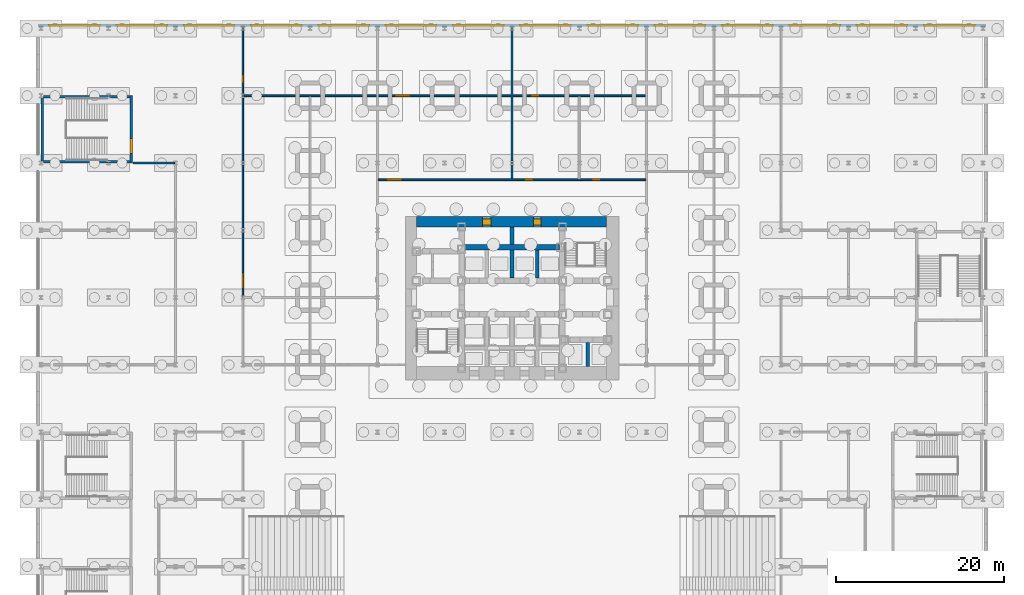
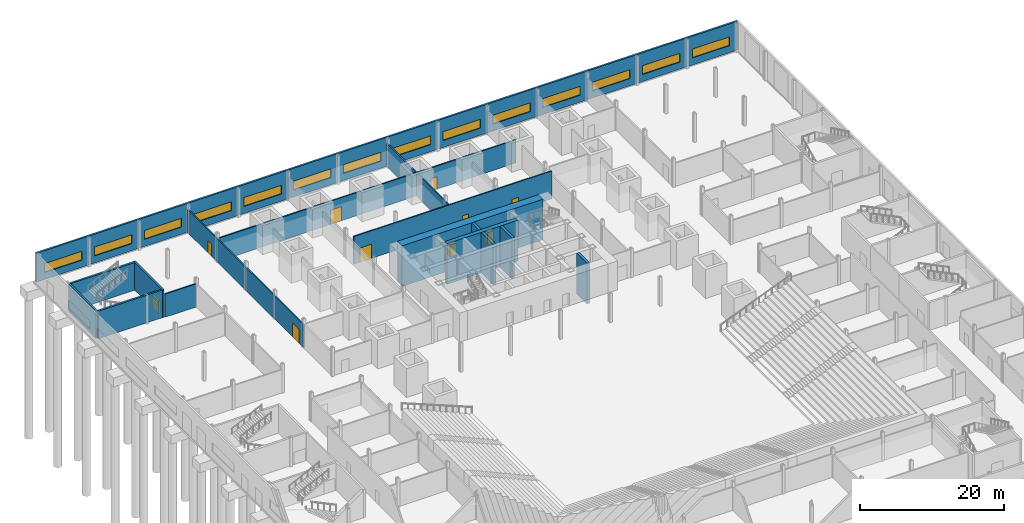
# One storey, part 17 of 24: 16 walls, 14 windows, 10 doors, 24 openings.
"""IFC4 building model written with IfcOpenShell, lengths in metres."""

from ifc_helpers import new_model, si_unit, direction, frame, frame_2d, origin, place, context, subcontext, project, spatial, rectangle, extrude, material, layer, layer_set, type_object, element, fill, save


model = new_model("IFC4")

# Units and contexts
model_context = context("Model", 3, precision=1e-05, world=origin(), true_north=direction((0.0, 1.0)))
body_context = subcontext(model_context, "Body", "Model", "MODEL_VIEW")
ifc_project = project(units=[si_unit("LENGTHUNIT", "METRE"), si_unit("AREAUNIT", "SQUARE_METRE"), si_unit("VOLUMEUNIT", "CUBIC_METRE"), si_unit("PLANEANGLEUNIT", "RADIAN"), si_unit("MASSUNIT", "GRAM", prefix="KILO")], contexts=[model_context])

# Site, building, storey
site_placement = place(None, origin())
site = spatial("IfcSite", under=ifc_project, at=site_placement, CompositionType="ELEMENT")
building_placement = place(site_placement, origin())
building = spatial("IfcBuilding", under=site, at=building_placement, Name="Daluyong Arena Tower", CompositionType="ELEMENT")
storey_placement = place(building_placement, origin())
storey = spatial("IfcBuildingStorey", under=building, at=storey_placement, Name="L00", CompositionType="ELEMENT", Elevation=0.0)

# Wall
ifc_material_1 = material(Name="Concrete fc' 60 MPa", Category="concrete")
ifc_layer_1 = layer(ifc_material_1, 0.64990234375)
ifc_layer_set_1 = layer_set([ifc_layer_1], Name="Concrete fc' 60 MPa")
wall_type_1 = type_object("IfcWallType", Name="Core inner wall 650", PredefinedType="SHEAR", material=ifc_layer_set_1)
wall_1_placement = place(storey_placement, frame((50.324951171875, 86.0, -2.0), z_axis=(0.0, 0.0, 1.0), x_axis=(1.0, 0.0, 0.0)))
element("IfcWall", 1, at=wall_1_placement, inside=storey, type_object=wall_type_1, Name="core inner wall at L00", PredefinedType="SHEAR", context=body_context, shape_type="SweptSolid", body=[
    extrude(rectangle(XDim=11.35009765625, YDim=0.64990234375, at=frame_2d((5.675048828125, 0.0))), origin(), (0.0, 0.0, 1.0), 6.89990234375),
])

# Wall, openings, doors
ifc_material_2 = material(Name="Concrete fc' 60 MPa", Category="concrete")
ifc_layer_2 = layer(ifc_material_2, 1.280029296875)
ifc_layer_set_2 = layer_set([ifc_layer_2], Name="Concrete fc' 60 MPa")
wall_type_2 = type_object("IfcWallType", Name="Core wall 1280", PredefinedType="SHEAR", material=ifc_layer_set_2)
wall_2_placement = place(storey_placement, frame((44.639892578125, 89.0, -2.0), z_axis=(0.0, 0.0, 1.0), x_axis=(1.0, 0.0, 0.0)))
wall_2 = element("IfcWall", 2, at=wall_2_placement, inside=storey, type_object=wall_type_2, Name="core wall at L00", PredefinedType="SHEAR", context=body_context, shape_type="SweptSolid", body=[
    extrude(rectangle(XDim=22.610107421875, YDim=1.280029296875, at=frame_2d((11.30517578125, 0.0))), origin(), (0.0, 0.0, 1.0), 6.89990234375),
])
opening_1_placement = place(wall_2_placement, frame((7.860107421875, 0.0, 2.0)))
opening_1 = element("IfcOpeningElement", 3, at=opening_1_placement, cuts=wall_2, Name="Opening 00004", PredefinedType="OPENING", context=body_context, shape_type="SweptSolid", body=[
    extrude(rectangle(XDim=1.0, YDim=2.10009765625, at=frame_2d((0.5, 1.050048828125))), frame((0.0, 0.64990234375, 0.0), z_axis=(0.0, -1.0, 0.0), x_axis=(1.0, 0.0, 0.0)), (0.0, 0.0, 1.0), 1.300048828125),
])
opening_2_placement = place(wall_2_placement, frame((13.909912109375, 0.0, 2.0)))
opening_2 = element("IfcOpeningElement", 4, at=opening_2_placement, cuts=wall_2, Name="Opening 00005", PredefinedType="OPENING", context=body_context, shape_type="SweptSolid", body=[
    extrude(rectangle(XDim=0.89990234375, YDim=2.10009765625, at=frame_2d((0.449951171875, 1.050048828125))), frame((0.0, 0.64990234375, 0.0), z_axis=(0.0, -1.0, 0.0), x_axis=(1.0, 0.0, 0.0)), (0.0, 0.0, 1.0), 1.300048828125),
])
ifc_material_3 = material(Name="Timber door", Category="wood")
door_type_1 = type_object("IfcDoorType", Name="Accessible toilet door 1000", OperationType="SINGLE_SWING_LEFT", PredefinedType="DOOR", material=ifc_material_3)
door_1_placement = place(opening_1_placement, origin())
door_1 = element("IfcDoor", 5, at=door_1_placement, inside=storey, type_object=door_type_1, Name="accessible toilet door 00004", OperationType="SINGLE_SWING_LEFT", OverallHeight=2.10009765625, OverallWidth=1.0, PredefinedType="DOOR", context=body_context, shape_type="SweptSolid", body=[
    extrude(rectangle(XDim=1.0, YDim=2.10009765625, at=frame_2d((0.5, 1.050048828125))), frame((0.0, 0.35009765625, 0.0), z_axis=(0.0, -1.0, 0.0), x_axis=(1.0, 0.0, 0.0)), (0.0, 0.0, 1.0), 0.699951171875),
])
fill(opening_1, door_1)
ifc_material_4 = material(Name="Steel door, fire rated", Category="steel")
door_type_2 = type_object("IfcDoorType", Name="Riser door 900", OperationType="SINGLE_SWING_LEFT", PredefinedType="DOOR", material=ifc_material_4)
door_2_placement = place(opening_2_placement, origin())
door_2 = element("IfcDoor", 6, at=door_2_placement, inside=storey, type_object=door_type_2, Name="riser door 00005", OperationType="SINGLE_SWING_LEFT", OverallHeight=2.10009765625, OverallWidth=0.89990234375, PredefinedType="DOOR", context=body_context, shape_type="SweptSolid", body=[
    extrude(rectangle(XDim=0.89990234375, YDim=2.10009765625, at=frame_2d((0.449951171875, 1.050048828125))), frame((0.0, 0.35009765625, 0.0), z_axis=(0.0, -1.0, 0.0), x_axis=(1.0, 0.0, 0.0)), (0.0, 0.0, 1.0), 0.699951171875),
])
fill(opening_2, door_2)

# Walls
ifc_material_5 = material(Name="Concrete fc' 45 MPa", Category="concrete")
ifc_layer_3 = layer(ifc_material_5, 0.449951171875)
ifc_layer_set_3 = layer_set([ifc_layer_3], Name="Concrete fc' 45 MPa")
wall_type_3 = type_object("IfcWallType", Name="Lift shaft wall 450", PredefinedType="SHEAR", material=ifc_layer_set_3)
for number, where, z_axis, x_axis, name in (
    (7, (56.0, 82.324951171875, -2.0), (0.0, 0.0, 1.0), (0.0, 1.0, 0.0), "lift shaft wall at L00"),
    (8, (59.0, 82.324951171875, -2.0), (0.0, 0.0, 1.0), (0.0, 1.0, 0.0), "lift shaft wall at L00"),
):
    element("IfcWall", number, at=place(storey_placement, frame(where, z_axis=z_axis, x_axis=x_axis)), inside=storey, type_object=wall_type_3, Name=name, PredefinedType="SHEAR", context=body_context, shape_type="SweptSolid", body=[
        extrude(rectangle(XDim=3.35009765625, YDim=0.449951171875, at=frame_2d((1.675048828125, 0.0))), origin(), (0.0, 0.0, 1.0), 6.89990234375),
    ])
wall_3_placement = place(storey_placement, frame((65.0, 71.800048828125, -2.0), z_axis=(0.0, 0.0, 1.0), x_axis=(0.0, 1.0, 0.0)))
element("IfcWall", 9, at=wall_3_placement, inside=storey, type_object=wall_type_3, Name="lift shaft wall at L00", PredefinedType="SHEAR", context=body_context, shape_type="SweptSolid", body=[
    extrude(rectangle(XDim=2.875, YDim=0.449951171875, at=frame_2d((1.4375, 0.0))), origin(), (0.0, 0.0, 1.0), 6.89990234375),
])
wall_4_placement = place(storey_placement, frame((56.0, 86.324951171875, -2.0), z_axis=(0.0, 0.0, 1.0), x_axis=(0.0, 1.0, 0.0)))
element("IfcWall", 10, at=wall_4_placement, inside=storey, type_object=wall_type_3, Name="lift shaft wall at L00", PredefinedType="SHEAR", context=body_context, shape_type="SweptSolid", body=[
    extrude(rectangle(XDim=2.03515625, YDim=0.449951171875, at=frame_2d((1.017578125, 0.0))), origin(), (0.0, 0.0, 1.0), 6.89990234375),
])

# Wall, openings, doors
ifc_material_6 = material(Name="Concrete block partition", Category="concrete")
ifc_layer_4 = layer(ifc_material_6, 0.199951171875)
ifc_layer_set_4 = layer_set([ifc_layer_4], Name="Concrete block partition")
wall_type_4 = type_object("IfcWallType", Name="Partition 200", PredefinedType="PARTITIONING", material=ifc_layer_set_4)
wall_5_placement = place(storey_placement, frame((40.10009765625, 94.0, 0.0), z_axis=(0.0, 0.0, 1.0), x_axis=(1.0, 0.0, 0.0)))
wall_5 = element("IfcWall", 11, at=wall_5_placement, inside=storey, type_object=wall_type_4, Name="partition at L00", PredefinedType="PARTITIONING", context=body_context, shape_type="SweptSolid", body=[
    extrude(rectangle(XDim=31.7998046875, YDim=0.199951171875, at=frame_2d((15.89990234375, 0.0))), origin(), (0.0, 0.0, 1.0), 4.699951171875),
])
opening_3_placement = place(wall_5_placement, frame((1.0, 0.0, 0.0)))
opening_3 = element("IfcOpeningElement", 12, at=opening_3_placement, cuts=wall_5, Name="Opening 00068", PredefinedType="OPENING", context=body_context, shape_type="SweptSolid", body=[
    extrude(rectangle(XDim=1.800048828125, YDim=2.39990234375, at=frame_2d((0.89990234375, 1.199951171875))), frame((0.0, 0.10986328125, 0.0), z_axis=(0.0, -1.0, 0.0), x_axis=(1.0, 0.0, 0.0)), (0.0, 0.0, 1.0), 0.219970703125),
])
opening_4_placement = place(wall_5_placement, frame((17.39990234375, 0.0, 0.0)))
opening_4 = element("IfcOpeningElement", 13, at=opening_4_placement, cuts=wall_5, Name="Opening 00070", PredefinedType="OPENING", context=body_context, shape_type="SweptSolid", body=[
    extrude(rectangle(XDim=1.0, YDim=2.10009765625, at=frame_2d((0.5, 1.050048828125))), frame((0.0, 0.10986328125, 0.0), z_axis=(0.0, -1.0, 0.0), x_axis=(1.0, 0.0, 0.0)), (0.0, 0.0, 1.0), 0.219970703125),
])
opening_5_placement = place(wall_5_placement, frame((25.39990234375, 0.0, 0.0)))
opening_5 = element("IfcOpeningElement", 14, at=opening_5_placement, cuts=wall_5, Name="Opening 00071", PredefinedType="OPENING", context=body_context, shape_type="SweptSolid", body=[
    extrude(rectangle(XDim=1.0, YDim=2.10009765625, at=frame_2d((0.5, 1.050048828125))), frame((0.0, 0.10986328125, 0.0), z_axis=(0.0, -1.0, 0.0), x_axis=(1.0, 0.0, 0.0)), (0.0, 0.0, 1.0), 0.219970703125),
])
ifc_material_7 = material(Name="Timber door", Category="wood")
door_type_3 = type_object("IfcDoorType", Name="Assembly double door 1800", OperationType="DOUBLE_DOOR_DOUBLE_SWING", PredefinedType="DOOR", material=ifc_material_7)
door_3_placement = place(opening_3_placement, origin())
door_3 = element("IfcDoor", 15, at=door_3_placement, inside=storey, type_object=door_type_3, Name="cafe door 00068", OperationType="DOUBLE_DOOR_DOUBLE_SWING", OverallHeight=2.39990234375, OverallWidth=1.800048828125, PredefinedType="DOOR", context=body_context, shape_type="SweptSolid", body=[
    extrude(rectangle(XDim=1.800048828125, YDim=2.39990234375, at=frame_2d((0.89990234375, 1.199951171875))), frame((0.0, 0.099609375, 0.0), z_axis=(0.0, -1.0, 0.0), x_axis=(1.0, 0.0, 0.0)), (0.0, 0.0, 1.0), 0.199462890625),
])
fill(opening_3, door_3)
ifc_material_8 = material(Name="Timber door", Category="wood")
door_type_4 = type_object("IfcDoorType", Name="Room door 1000", OperationType="SINGLE_SWING_LEFT", PredefinedType="DOOR", material=ifc_material_8)
door_4_placement = place(opening_4_placement, origin())
door_4 = element("IfcDoor", 16, at=door_4_placement, inside=storey, type_object=door_type_4, Name="security control room door 00070", OperationType="SINGLE_SWING_LEFT", OverallHeight=2.10009765625, OverallWidth=1.0, PredefinedType="DOOR", context=body_context, shape_type="SweptSolid", body=[
    extrude(rectangle(XDim=1.0, YDim=2.10009765625, at=frame_2d((0.5, 1.050048828125))), frame((0.0, 0.099609375, 0.0), z_axis=(0.0, -1.0, 0.0), x_axis=(1.0, 0.0, 0.0)), (0.0, 0.0, 1.0), 0.199462890625),
])
fill(opening_4, door_4)
door_5_placement = place(opening_5_placement, origin())
door_5 = element("IfcDoor", 17, at=door_5_placement, inside=storey, type_object=door_type_4, Name="security store door 00071", OperationType="SINGLE_SWING_LEFT", OverallHeight=2.10009765625, OverallWidth=1.0, PredefinedType="DOOR", context=body_context, shape_type="SweptSolid", body=[
    extrude(rectangle(XDim=1.0, YDim=2.10009765625, at=frame_2d((0.5, 1.050048828125))), frame((0.0, 0.099609375, 0.0), z_axis=(0.0, -1.0, 0.0), x_axis=(1.0, 0.0, 0.0)), (0.0, 0.0, 1.0), 0.199462890625),
])
fill(opening_5, door_5)

# Wall
wall_6_placement = place(storey_placement, frame((10.949951171875, 96.0, 0.0), z_axis=(0.0, 0.0, 1.0), x_axis=(1.0, 0.0, 0.0)))
element("IfcWall", 18, at=wall_6_placement, inside=storey, type_object=wall_type_4, Name="partition at L00", PredefinedType="PARTITIONING", context=body_context, shape_type="SweptSolid", body=[
    extrude(rectangle(XDim=4.949951171875, YDim=0.199951171875, at=frame_2d((2.47509765625, 0.0))), origin(), (0.0, 0.0, 1.0), 3.927734375),
])

# Wall, openings, doors
wall_7_placement = place(storey_placement, frame((24.10009765625, 104.0, 0.0), z_axis=(0.0, 0.0, 1.0), x_axis=(1.0, 0.0, 0.0)))
wall_7 = element("IfcWall", 19, at=wall_7_placement, inside=storey, type_object=wall_type_4, Name="partition at L00", PredefinedType="PARTITIONING", context=body_context, shape_type="SweptSolid", body=[
    extrude(rectangle(XDim=47.7998046875, YDim=0.199951171875, at=frame_2d((23.89990234375, 0.0))), origin(), (0.0, 0.0, 1.0), 3.927734375),
])
opening_6_placement = place(wall_7_placement, frame((18.0, 0.0, 0.0)))
opening_6 = element("IfcOpeningElement", 20, at=opening_6_placement, cuts=wall_7, Name="Opening 00069", PredefinedType="OPENING", context=body_context, shape_type="SweptSolid", body=[
    extrude(rectangle(XDim=1.800048828125, YDim=2.39990234375, at=frame_2d((0.89990234375, 1.199951171875))), frame((0.0, 0.10986328125, 0.0), z_axis=(0.0, -1.0, 0.0), x_axis=(1.0, 0.0, 0.0)), (0.0, 0.0, 1.0), 0.219970703125),
])
opening_7_placement = place(wall_7_placement, frame((34.14990234375, 0.0, 0.0)))
opening_7 = element("IfcOpeningElement", 21, at=opening_7_placement, cuts=wall_7, Name="Opening 00072", PredefinedType="OPENING", context=body_context, shape_type="SweptSolid", body=[
    extrude(rectangle(XDim=1.0, YDim=2.10009765625, at=frame_2d((0.5, 1.050048828125))), frame((0.0, 0.10986328125, 0.0), z_axis=(0.0, -1.0, 0.0), x_axis=(1.0, 0.0, 0.0)), (0.0, 0.0, 1.0), 0.219970703125),
])
door_6_placement = place(opening_6_placement, origin())
door_6 = element("IfcDoor", 22, at=door_6_placement, inside=storey, type_object=door_type_3, Name="cafe door 00069", OperationType="DOUBLE_DOOR_DOUBLE_SWING", OverallHeight=2.39990234375, OverallWidth=1.800048828125, PredefinedType="DOOR", context=body_context, shape_type="SweptSolid", body=[
    extrude(rectangle(XDim=1.800048828125, YDim=2.39990234375, at=frame_2d((0.89990234375, 1.199951171875))), frame((0.0, 0.099609375, 0.0), z_axis=(0.0, -1.0, 0.0), x_axis=(1.0, 0.0, 0.0)), (0.0, 0.0, 1.0), 0.199462890625),
])
fill(opening_6, door_6)
door_7_placement = place(opening_7_placement, origin())
door_7 = element("IfcDoor", 23, at=door_7_placement, inside=storey, type_object=door_type_4, Name="security equipment store door 00072", OperationType="SINGLE_SWING_LEFT", OverallHeight=2.10009765625, OverallWidth=1.0, PredefinedType="DOOR", context=body_context, shape_type="SweptSolid", body=[
    extrude(rectangle(XDim=1.0, YDim=2.10009765625, at=frame_2d((0.5, 1.050048828125))), frame((0.0, 0.099609375, 0.0), z_axis=(0.0, -1.0, 0.0), x_axis=(1.0, 0.0, 0.0)), (0.0, 0.0, 1.0), 0.199462890625),
])
fill(opening_7, door_7)

wall_8_placement = place(storey_placement, frame((24.0, 80.0, 0.0), z_axis=(0.0, 0.0, 1.0), x_axis=(0.0, 1.0, 0.0)))
wall_8 = element("IfcWall", 24, at=wall_8_placement, inside=storey, type_object=wall_type_4, Name="partition at L00", PredefinedType="PARTITIONING", context=body_context, shape_type="SweptSolid", body=[
    extrude(rectangle(XDim=32.14990234375, YDim=0.199951171875, at=frame_2d((16.074951171875, 0.0))), origin(), (0.0, 0.0, 1.0), 3.927734375),
])
opening_8_placement = place(wall_8_placement, frame((1.10009765625, 0.0, 0.0)))
opening_8 = element("IfcOpeningElement", 25, at=opening_8_placement, cuts=wall_8, Name="Opening 00065", PredefinedType="OPENING", context=body_context, shape_type="SweptSolid", body=[
    extrude(rectangle(XDim=1.800048828125, YDim=2.39990234375, at=frame_2d((0.89990234375, 1.199951171875))), frame((0.0, 0.10986328125, 0.0), z_axis=(0.0, -1.0, 0.0), x_axis=(1.0, 0.0, 0.0)), (0.0, 0.0, 1.0), 0.219970703125),
])
opening_9_placement = place(wall_8_placement, frame((25.5, 0.0, 0.0)))
opening_9 = element("IfcOpeningElement", 26, at=opening_9_placement, cuts=wall_8, Name="Opening 00067", PredefinedType="OPENING", context=body_context, shape_type="SweptSolid", body=[
    extrude(rectangle(XDim=1.0, YDim=2.10009765625, at=frame_2d((0.5, 1.050048828125))), frame((0.0, 0.10986328125, 0.0), z_axis=(0.0, -1.0, 0.0), x_axis=(1.0, 0.0, 0.0)), (0.0, 0.0, 1.0), 0.219970703125),
])
door_8_placement = place(opening_8_placement, origin())
door_8 = element("IfcDoor", 27, at=door_8_placement, inside=storey, type_object=door_type_3, Name="arena restaurant door 00065", OperationType="DOUBLE_DOOR_DOUBLE_SWING", OverallHeight=2.39990234375, OverallWidth=1.800048828125, PredefinedType="DOOR", context=body_context, shape_type="SweptSolid", body=[
    extrude(rectangle(XDim=1.800048828125, YDim=2.39990234375, at=frame_2d((0.89990234375, 1.199951171875))), frame((0.0, 0.099609375, 0.0), z_axis=(0.0, -1.0, 0.0), x_axis=(1.0, 0.0, 0.0)), (0.0, 0.0, 1.0), 0.199462890625),
])
fill(opening_8, door_8)
door_9_placement = place(opening_9_placement, origin())
door_9 = element("IfcDoor", 28, at=door_9_placement, inside=storey, type_object=door_type_4, Name="merchandise shop door 00067", OperationType="SINGLE_SWING_LEFT", OverallHeight=2.10009765625, OverallWidth=1.0, PredefinedType="DOOR", context=body_context, shape_type="SweptSolid", body=[
    extrude(rectangle(XDim=1.0, YDim=2.10009765625, at=frame_2d((0.5, 1.050048828125))), frame((0.0, 0.099609375, 0.0), z_axis=(0.0, -1.0, 0.0), x_axis=(1.0, 0.0, 0.0)), (0.0, 0.0, 1.0), 0.199462890625),
])
fill(opening_9, door_9)

# Wall
wall_9_placement = place(storey_placement, frame((56.0, 94.10009765625, 0.0), z_axis=(0.0, 0.0, 1.0), x_axis=(0.0, 1.0, 0.0)))
element("IfcWall", 29, at=wall_9_placement, inside=storey, type_object=wall_type_4, Name="partition at L00", PredefinedType="PARTITIONING", context=body_context, shape_type="SweptSolid", body=[
    extrude(rectangle(XDim=18.0498046875, YDim=0.199951171875, at=frame_2d((9.02490234375, 0.0))), origin(), (0.0, 0.0, 1.0), 3.927734375),
])

# Wall, openings, windows
ifc_material_9 = material(Name="Precast concrete fc' 45 MPa", Category="concrete")
ifc_layer_5 = layer(ifc_material_9, 0.300048828125)
ifc_layer_set_5 = layer_set([ifc_layer_5], Name="Precast concrete fc' 45 MPa")
wall_type_5 = type_object("IfcWallType", Name="Podium precast base wall 300", PredefinedType="SOLIDWALL", material=ifc_layer_set_5)
wall_10_placement = place(storey_placement, frame((112.35009765625, 112.35009765625, 0.0), z_axis=(0.0, 0.0, 1.0), x_axis=(-1.0, 0.0, 0.0)))
wall_10 = element("IfcWall", 30, at=wall_10_placement, inside=storey, type_object=wall_type_5, Name="podium base wall N L00", PredefinedType="SOLIDWALL", context=body_context, shape_type="SweptSolid", body=[
    extrude(rectangle(XDim=112.7001953125, YDim=0.300048828125, at=frame_2d((56.35009765625, 0.0))), origin(), (0.0, 0.0, 1.0), 4.89990234375),
])
opening_10_placement = place(wall_10_placement, frame((1.35009765625, 0.0, 1.199951171875)))
opening_10 = element("IfcOpeningElement", 31, at=opening_10_placement, cuts=wall_10, Name="Opening W1", PredefinedType="OPENING", context=body_context, shape_type="SweptSolid", body=[
    extrude(rectangle(XDim=6.0, YDim=1.5, at=frame_2d((3.0, 0.75))), frame((0.0, 0.159912109375, 0.0), z_axis=(0.0, -1.0, 0.0), x_axis=(1.0, 0.0, 0.0)), (0.0, 0.0, 1.0), 0.320068359375),
])
opening_11_placement = place(wall_10_placement, frame((9.35009765625, 0.0, 1.199951171875)))
opening_11 = element("IfcOpeningElement", 32, at=opening_11_placement, cuts=wall_10, Name="Opening W1", PredefinedType="OPENING", context=body_context, shape_type="SweptSolid", body=[
    extrude(rectangle(XDim=6.0, YDim=1.5, at=frame_2d((3.0, 0.75))), frame((0.0, 0.159912109375, 0.0), z_axis=(0.0, -1.0, 0.0), x_axis=(1.0, 0.0, 0.0)), (0.0, 0.0, 1.0), 0.320068359375),
])
opening_12_placement = place(wall_10_placement, frame((17.35009765625, 0.0, 1.199951171875)))
opening_12 = element("IfcOpeningElement", 33, at=opening_12_placement, cuts=wall_10, Name="Opening W1", PredefinedType="OPENING", context=body_context, shape_type="SweptSolid", body=[
    extrude(rectangle(XDim=6.0, YDim=1.5, at=frame_2d((3.0, 0.75))), frame((0.0, 0.159912109375, 0.0), z_axis=(0.0, -1.0, 0.0), x_axis=(1.0, 0.0, 0.0)), (0.0, 0.0, 1.0), 0.320068359375),
])
opening_13_placement = place(wall_10_placement, frame((25.35009765625, 0.0, 1.199951171875)))
opening_13 = element("IfcOpeningElement", 34, at=opening_13_placement, cuts=wall_10, Name="Opening W1", PredefinedType="OPENING", context=body_context, shape_type="SweptSolid", body=[
    extrude(rectangle(XDim=6.0, YDim=1.5, at=frame_2d((3.0, 0.75))), frame((0.0, 0.159912109375, 0.0), z_axis=(0.0, -1.0, 0.0), x_axis=(1.0, 0.0, 0.0)), (0.0, 0.0, 1.0), 0.320068359375),
])
opening_14_placement = place(wall_10_placement, frame((33.35009765625, 0.0, 1.199951171875)))
opening_14 = element("IfcOpeningElement", 35, at=opening_14_placement, cuts=wall_10, Name="Opening W1", PredefinedType="OPENING", context=body_context, shape_type="SweptSolid", body=[
    extrude(rectangle(XDim=6.0, YDim=1.5, at=frame_2d((3.0, 0.75))), frame((0.0, 0.159912109375, 0.0), z_axis=(0.0, -1.0, 0.0), x_axis=(1.0, 0.0, 0.0)), (0.0, 0.0, 1.0), 0.320068359375),
])
opening_15_placement = place(wall_10_placement, frame((41.35009765625, 0.0, 1.199951171875)))
opening_15 = element("IfcOpeningElement", 36, at=opening_15_placement, cuts=wall_10, Name="Opening W1", PredefinedType="OPENING", context=body_context, shape_type="SweptSolid", body=[
    extrude(rectangle(XDim=6.0, YDim=1.5, at=frame_2d((3.0, 0.75))), frame((0.0, 0.159912109375, 0.0), z_axis=(0.0, -1.0, 0.0), x_axis=(1.0, 0.0, 0.0)), (0.0, 0.0, 1.0), 0.320068359375),
])
opening_16_placement = place(wall_10_placement, frame((49.35009765625, 0.0, 1.199951171875)))
opening_16 = element("IfcOpeningElement", 37, at=opening_16_placement, cuts=wall_10, Name="Opening W1", PredefinedType="OPENING", context=body_context, shape_type="SweptSolid", body=[
    extrude(rectangle(XDim=6.0, YDim=1.5, at=frame_2d((3.0, 0.75))), frame((0.0, 0.159912109375, 0.0), z_axis=(0.0, -1.0, 0.0), x_axis=(1.0, 0.0, 0.0)), (0.0, 0.0, 1.0), 0.320068359375),
])
opening_17_placement = place(wall_10_placement, frame((57.35009765625, 0.0, 1.199951171875)))
opening_17 = element("IfcOpeningElement", 38, at=opening_17_placement, cuts=wall_10, Name="Opening W1", PredefinedType="OPENING", context=body_context, shape_type="SweptSolid", body=[
    extrude(rectangle(XDim=6.0, YDim=1.5, at=frame_2d((3.0, 0.75))), frame((0.0, 0.159912109375, 0.0), z_axis=(0.0, -1.0, 0.0), x_axis=(1.0, 0.0, 0.0)), (0.0, 0.0, 1.0), 0.320068359375),
])
opening_18_placement = place(wall_10_placement, frame((65.35009765625, 0.0, 1.199951171875)))
opening_18 = element("IfcOpeningElement", 39, at=opening_18_placement, cuts=wall_10, Name="Opening W1", PredefinedType="OPENING", context=body_context, shape_type="SweptSolid", body=[
    extrude(rectangle(XDim=6.0, YDim=1.5, at=frame_2d((3.0, 0.75))), frame((0.0, 0.159912109375, 0.0), z_axis=(0.0, -1.0, 0.0), x_axis=(1.0, 0.0, 0.0)), (0.0, 0.0, 1.0), 0.320068359375),
])
opening_19_placement = place(wall_10_placement, frame((73.35009765625, 0.0, 1.199951171875)))
opening_19 = element("IfcOpeningElement", 40, at=opening_19_placement, cuts=wall_10, Name="Opening W1", PredefinedType="OPENING", context=body_context, shape_type="SweptSolid", body=[
    extrude(rectangle(XDim=6.0, YDim=1.5, at=frame_2d((3.0, 0.75))), frame((0.0, 0.159912109375, 0.0), z_axis=(0.0, -1.0, 0.0), x_axis=(1.0, 0.0, 0.0)), (0.0, 0.0, 1.0), 0.320068359375),
])
opening_20_placement = place(wall_10_placement, frame((81.35009765625, 0.0, 1.199951171875)))
opening_20 = element("IfcOpeningElement", 41, at=opening_20_placement, cuts=wall_10, Name="Opening W1", PredefinedType="OPENING", context=body_context, shape_type="SweptSolid", body=[
    extrude(rectangle(XDim=6.0, YDim=1.5, at=frame_2d((3.0, 0.75))), frame((0.0, 0.159912109375, 0.0), z_axis=(0.0, -1.0, 0.0), x_axis=(1.0, 0.0, 0.0)), (0.0, 0.0, 1.0), 0.320068359375),
])
opening_21_placement = place(wall_10_placement, frame((89.35009765625, 0.0, 1.199951171875)))
opening_21 = element("IfcOpeningElement", 42, at=opening_21_placement, cuts=wall_10, Name="Opening W1", PredefinedType="OPENING", context=body_context, shape_type="SweptSolid", body=[
    extrude(rectangle(XDim=6.0, YDim=1.5, at=frame_2d((3.0, 0.75))), frame((0.0, 0.159912109375, 0.0), z_axis=(0.0, -1.0, 0.0), x_axis=(1.0, 0.0, 0.0)), (0.0, 0.0, 1.0), 0.320068359375),
])
opening_22_placement = place(wall_10_placement, frame((97.35009765625, 0.0, 1.199951171875)))
opening_22 = element("IfcOpeningElement", 43, at=opening_22_placement, cuts=wall_10, Name="Opening W1", PredefinedType="OPENING", context=body_context, shape_type="SweptSolid", body=[
    extrude(rectangle(XDim=6.0, YDim=1.5, at=frame_2d((3.0, 0.75))), frame((0.0, 0.159912109375, 0.0), z_axis=(0.0, -1.0, 0.0), x_axis=(1.0, 0.0, 0.0)), (0.0, 0.0, 1.0), 0.320068359375),
])
opening_23_placement = place(wall_10_placement, frame((105.35009765625, 0.0, 1.199951171875)))
opening_23 = element("IfcOpeningElement", 44, at=opening_23_placement, cuts=wall_10, Name="Opening W1", PredefinedType="OPENING", context=body_context, shape_type="SweptSolid", body=[
    extrude(rectangle(XDim=6.0, YDim=1.5, at=frame_2d((3.0, 0.75))), frame((0.0, 0.159912109375, 0.0), z_axis=(0.0, -1.0, 0.0), x_axis=(1.0, 0.0, 0.0)), (0.0, 0.0, 1.0), 0.320068359375),
])
ifc_material_10 = material(Name="Bronze aluminium window, tinted glass", Category="aluminium")
window_type = type_object("IfcWindowType", Name="Ribbon window 6000x1500", PartitioningType="TRIPLE_PANEL_HORIZONTAL", PredefinedType="WINDOW", material=ifc_material_10)
window_1_placement = place(opening_10_placement, origin())
window_1 = element("IfcWindow", 45, at=window_1_placement, inside=storey, type_object=window_type, Name="ribbon window N", OverallHeight=1.5, OverallWidth=6.0, PartitioningType="SINGLE_PANEL", PredefinedType="WINDOW", context=body_context, shape_type="SweptSolid", body=[
    extrude(rectangle(XDim=6.0, YDim=1.5, at=frame_2d((3.0, 0.75))), frame((0.0, 0.030029296875, 0.0), z_axis=(0.0, -1.0, 0.0), x_axis=(1.0, 0.0, 0.0)), (0.0, 0.0, 1.0), 0.06005859375),
])
fill(opening_10, window_1)
window_2_placement = place(opening_11_placement, origin())
window_2 = element("IfcWindow", 46, at=window_2_placement, inside=storey, type_object=window_type, Name="ribbon window N", OverallHeight=1.5, OverallWidth=6.0, PartitioningType="SINGLE_PANEL", PredefinedType="WINDOW", context=body_context, shape_type="SweptSolid", body=[
    extrude(rectangle(XDim=6.0, YDim=1.5, at=frame_2d((3.0, 0.75))), frame((0.0, 0.030029296875, 0.0), z_axis=(0.0, -1.0, 0.0), x_axis=(1.0, 0.0, 0.0)), (0.0, 0.0, 1.0), 0.06005859375),
])
fill(opening_11, window_2)
window_3_placement = place(opening_12_placement, origin())
window_3 = element("IfcWindow", 47, at=window_3_placement, inside=storey, type_object=window_type, Name="ribbon window N", OverallHeight=1.5, OverallWidth=6.0, PartitioningType="SINGLE_PANEL", PredefinedType="WINDOW", context=body_context, shape_type="SweptSolid", body=[
    extrude(rectangle(XDim=6.0, YDim=1.5, at=frame_2d((3.0, 0.75))), frame((0.0, 0.030029296875, 0.0), z_axis=(0.0, -1.0, 0.0), x_axis=(1.0, 0.0, 0.0)), (0.0, 0.0, 1.0), 0.06005859375),
])
fill(opening_12, window_3)
window_4_placement = place(opening_13_placement, origin())
window_4 = element("IfcWindow", 48, at=window_4_placement, inside=storey, type_object=window_type, Name="ribbon window N", OverallHeight=1.5, OverallWidth=6.0, PartitioningType="SINGLE_PANEL", PredefinedType="WINDOW", context=body_context, shape_type="SweptSolid", body=[
    extrude(rectangle(XDim=6.0, YDim=1.5, at=frame_2d((3.0, 0.75))), frame((0.0, 0.030029296875, 0.0), z_axis=(0.0, -1.0, 0.0), x_axis=(1.0, 0.0, 0.0)), (0.0, 0.0, 1.0), 0.06005859375),
])
fill(opening_13, window_4)
window_5_placement = place(opening_14_placement, origin())
window_5 = element("IfcWindow", 49, at=window_5_placement, inside=storey, type_object=window_type, Name="ribbon window N", OverallHeight=1.5, OverallWidth=6.0, PartitioningType="SINGLE_PANEL", PredefinedType="WINDOW", context=body_context, shape_type="SweptSolid", body=[
    extrude(rectangle(XDim=6.0, YDim=1.5, at=frame_2d((3.0, 0.75))), frame((0.0, 0.030029296875, 0.0), z_axis=(0.0, -1.0, 0.0), x_axis=(1.0, 0.0, 0.0)), (0.0, 0.0, 1.0), 0.06005859375),
])
fill(opening_14, window_5)
window_6_placement = place(opening_15_placement, origin())
window_6 = element("IfcWindow", 50, at=window_6_placement, inside=storey, type_object=window_type, Name="ribbon window N", OverallHeight=1.5, OverallWidth=6.0, PartitioningType="SINGLE_PANEL", PredefinedType="WINDOW", context=body_context, shape_type="SweptSolid", body=[
    extrude(rectangle(XDim=6.0, YDim=1.5, at=frame_2d((3.0, 0.75))), frame((0.0, 0.030029296875, 0.0), z_axis=(0.0, -1.0, 0.0), x_axis=(1.0, 0.0, 0.0)), (0.0, 0.0, 1.0), 0.06005859375),
])
fill(opening_15, window_6)
window_7_placement = place(opening_16_placement, origin())
window_7 = element("IfcWindow", 51, at=window_7_placement, inside=storey, type_object=window_type, Name="ribbon window N", OverallHeight=1.5, OverallWidth=6.0, PartitioningType="SINGLE_PANEL", PredefinedType="WINDOW", context=body_context, shape_type="SweptSolid", body=[
    extrude(rectangle(XDim=6.0, YDim=1.5, at=frame_2d((3.0, 0.75))), frame((0.0, 0.030029296875, 0.0), z_axis=(0.0, -1.0, 0.0), x_axis=(1.0, 0.0, 0.0)), (0.0, 0.0, 1.0), 0.06005859375),
])
fill(opening_16, window_7)
window_8_placement = place(opening_17_placement, origin())
window_8 = element("IfcWindow", 52, at=window_8_placement, inside=storey, type_object=window_type, Name="ribbon window N", OverallHeight=1.5, OverallWidth=6.0, PartitioningType="SINGLE_PANEL", PredefinedType="WINDOW", context=body_context, shape_type="SweptSolid", body=[
    extrude(rectangle(XDim=6.0, YDim=1.5, at=frame_2d((3.0, 0.75))), frame((0.0, 0.030029296875, 0.0), z_axis=(0.0, -1.0, 0.0), x_axis=(1.0, 0.0, 0.0)), (0.0, 0.0, 1.0), 0.06005859375),
])
fill(opening_17, window_8)
window_9_placement = place(opening_18_placement, origin())
window_9 = element("IfcWindow", 53, at=window_9_placement, inside=storey, type_object=window_type, Name="ribbon window N", OverallHeight=1.5, OverallWidth=6.0, PartitioningType="SINGLE_PANEL", PredefinedType="WINDOW", context=body_context, shape_type="SweptSolid", body=[
    extrude(rectangle(XDim=6.0, YDim=1.5, at=frame_2d((3.0, 0.75))), frame((0.0, 0.030029296875, 0.0), z_axis=(0.0, -1.0, 0.0), x_axis=(1.0, 0.0, 0.0)), (0.0, 0.0, 1.0), 0.06005859375),
])
fill(opening_18, window_9)
window_10_placement = place(opening_19_placement, origin())
window_10 = element("IfcWindow", 54, at=window_10_placement, inside=storey, type_object=window_type, Name="ribbon window N", OverallHeight=1.5, OverallWidth=6.0, PartitioningType="SINGLE_PANEL", PredefinedType="WINDOW", context=body_context, shape_type="SweptSolid", body=[
    extrude(rectangle(XDim=6.0, YDim=1.5, at=frame_2d((3.0, 0.75))), frame((0.0, 0.030029296875, 0.0), z_axis=(0.0, -1.0, 0.0), x_axis=(1.0, 0.0, 0.0)), (0.0, 0.0, 1.0), 0.06005859375),
])
fill(opening_19, window_10)
window_11_placement = place(opening_20_placement, origin())
window_11 = element("IfcWindow", 55, at=window_11_placement, inside=storey, type_object=window_type, Name="ribbon window N", OverallHeight=1.5, OverallWidth=6.0, PartitioningType="SINGLE_PANEL", PredefinedType="WINDOW", context=body_context, shape_type="SweptSolid", body=[
    extrude(rectangle(XDim=6.0, YDim=1.5, at=frame_2d((3.0, 0.75))), frame((0.0, 0.030029296875, 0.0), z_axis=(0.0, -1.0, 0.0), x_axis=(1.0, 0.0, 0.0)), (0.0, 0.0, 1.0), 0.06005859375),
])
fill(opening_20, window_11)
window_12_placement = place(opening_21_placement, origin())
window_12 = element("IfcWindow", 56, at=window_12_placement, inside=storey, type_object=window_type, Name="ribbon window N", OverallHeight=1.5, OverallWidth=6.0, PartitioningType="SINGLE_PANEL", PredefinedType="WINDOW", context=body_context, shape_type="SweptSolid", body=[
    extrude(rectangle(XDim=6.0, YDim=1.5, at=frame_2d((3.0, 0.75))), frame((0.0, 0.030029296875, 0.0), z_axis=(0.0, -1.0, 0.0), x_axis=(1.0, 0.0, 0.0)), (0.0, 0.0, 1.0), 0.06005859375),
])
fill(opening_21, window_12)
window_13_placement = place(opening_22_placement, origin())
window_13 = element("IfcWindow", 57, at=window_13_placement, inside=storey, type_object=window_type, Name="ribbon window N", OverallHeight=1.5, OverallWidth=6.0, PartitioningType="SINGLE_PANEL", PredefinedType="WINDOW", context=body_context, shape_type="SweptSolid", body=[
    extrude(rectangle(XDim=6.0, YDim=1.5, at=frame_2d((3.0, 0.75))), frame((0.0, 0.030029296875, 0.0), z_axis=(0.0, -1.0, 0.0), x_axis=(1.0, 0.0, 0.0)), (0.0, 0.0, 1.0), 0.06005859375),
])
fill(opening_22, window_13)
window_14_placement = place(opening_23_placement, origin())
window_14 = element("IfcWindow", 58, at=window_14_placement, inside=storey, type_object=window_type, Name="ribbon window N", OverallHeight=1.5, OverallWidth=6.0, PartitioningType="SINGLE_PANEL", PredefinedType="WINDOW", context=body_context, shape_type="SweptSolid", body=[
    extrude(rectangle(XDim=6.0, YDim=1.5, at=frame_2d((3.0, 0.75))), frame((0.0, 0.030029296875, 0.0), z_axis=(0.0, -1.0, 0.0), x_axis=(1.0, 0.0, 0.0)), (0.0, 0.0, 1.0), 0.06005859375),
])
fill(opening_23, window_14)

# Wall
ifc_material_11 = material(Name="Concrete fc' 35 MPa", Category="concrete")
ifc_layer_6 = layer(ifc_material_11, 0.300048828125)
ifc_layer_set_6 = layer_set([ifc_layer_6], Name="Concrete fc' 35 MPa")
wall_type_6 = type_object("IfcWallType", Name="Stair enclosure wall 300", PredefinedType="SOLIDWALL", material=ifc_layer_set_6)
wall_11_placement = place(storey_placement, frame((0.14990234375, 96.227294921875, 0.0), z_axis=(0.0, 0.0, 1.0), x_axis=(0.0, 1.0, 0.0)))
element("IfcWall", 59, at=wall_11_placement, inside=storey, type_object=wall_type_6, Name="exit stair PS5 enclosure", PredefinedType="SOLIDWALL", context=body_context, shape_type="SweptSolid", body=[
    extrude(rectangle(XDim=7.54541015625, YDim=0.300048828125, at=frame_2d((3.772705078125, 0.0))), origin(), (0.0, 0.0, 1.0), 4.699951171875),
])

# Wall, opening, door
wall_12_placement = place(storey_placement, frame((10.699951171875, 96.0, 0.0), z_axis=(0.0, 0.0, 1.0), x_axis=(0.0, 1.0, 0.0)))
wall_12 = element("IfcWall", 60, at=wall_12_placement, inside=storey, type_object=wall_type_6, Name="exit stair PS5 enclosure", PredefinedType="SOLIDWALL", context=body_context, shape_type="SweptSolid", body=[
    extrude(rectangle(XDim=8.0, YDim=0.300048828125, at=frame_2d((4.0, 0.0))), origin(), (0.0, 0.0, 1.0), 4.699951171875),
])
opening_24_placement = place(wall_12_placement, frame((1.10009765625, 0.0, 0.0)))
opening_24 = element("IfcOpeningElement", 61, at=opening_24_placement, cuts=wall_12, Name="Opening 00031", PredefinedType="OPENING", context=body_context, shape_type="SweptSolid", body=[
    extrude(rectangle(XDim=1.800048828125, YDim=2.10009765625, at=frame_2d((0.89990234375, 1.050048828125))), frame((0.0, 0.159912109375, 0.0), z_axis=(0.0, -1.0, 0.0), x_axis=(1.0, 0.0, 0.0)), (0.0, 0.0, 1.0), 0.320068359375),
])
ifc_material_12 = material(Name="Steel door, fire rated", Category="steel")
door_type_5 = type_object("IfcDoorType", Name="Exit stair double door 1800", OperationType="DOUBLE_DOOR_SINGLE_SWING", PredefinedType="DOOR", material=ifc_material_12)
door_10_placement = place(opening_24_placement, frame((1.800048828125, 0.0, 0.0), z_axis=(0.0, 0.0, 1.0), x_axis=(-1.0, 0.0, 0.0)))
door_10 = element("IfcDoor", 62, at=door_10_placement, inside=storey, type_object=door_type_5, Name="exit stair PS5 door 00031", OperationType="DOUBLE_DOOR_SINGLE_SWING", OverallHeight=2.10009765625, OverallWidth=1.800048828125, PredefinedType="DOOR", context=body_context, shape_type="SweptSolid", body=[
    extrude(rectangle(XDim=1.800048828125, YDim=2.10009765625, at=frame_2d((0.89990234375, 1.050048828125))), frame((0.0, 0.14990234375, 0.0), z_axis=(0.0, -1.0, 0.0), x_axis=(1.0, 0.0, 0.0)), (0.0, 0.0, 1.0), 0.299560546875),
])
fill(opening_24, door_10)

# Walls
for number, where, z_axis, x_axis, name in (
    (63, (0.300048828125, 96.14990234375, 0.0), (0.0, 0.0, 1.0), (1.0, 0.0, 0.0), "exit stair PS5 enclosure"),
    (64, (0.300048828125, 103.85009765625, 0.0), (0.0, 0.0, 1.0), (1.0, 0.0, 0.0), "exit stair PS5 enclosure"),
):
    element("IfcWall", number, at=place(storey_placement, frame(where, z_axis=z_axis, x_axis=x_axis)), inside=storey, type_object=wall_type_6, Name=name, PredefinedType="SOLIDWALL", context=body_context, shape_type="SweptSolid", body=[
        extrude(rectangle(XDim=10.25, YDim=0.300048828125, at=frame_2d((5.125, 0.0))), origin(), (0.0, 0.0, 1.0), 4.699951171875),
    ])

save(model, "model.ifc")
